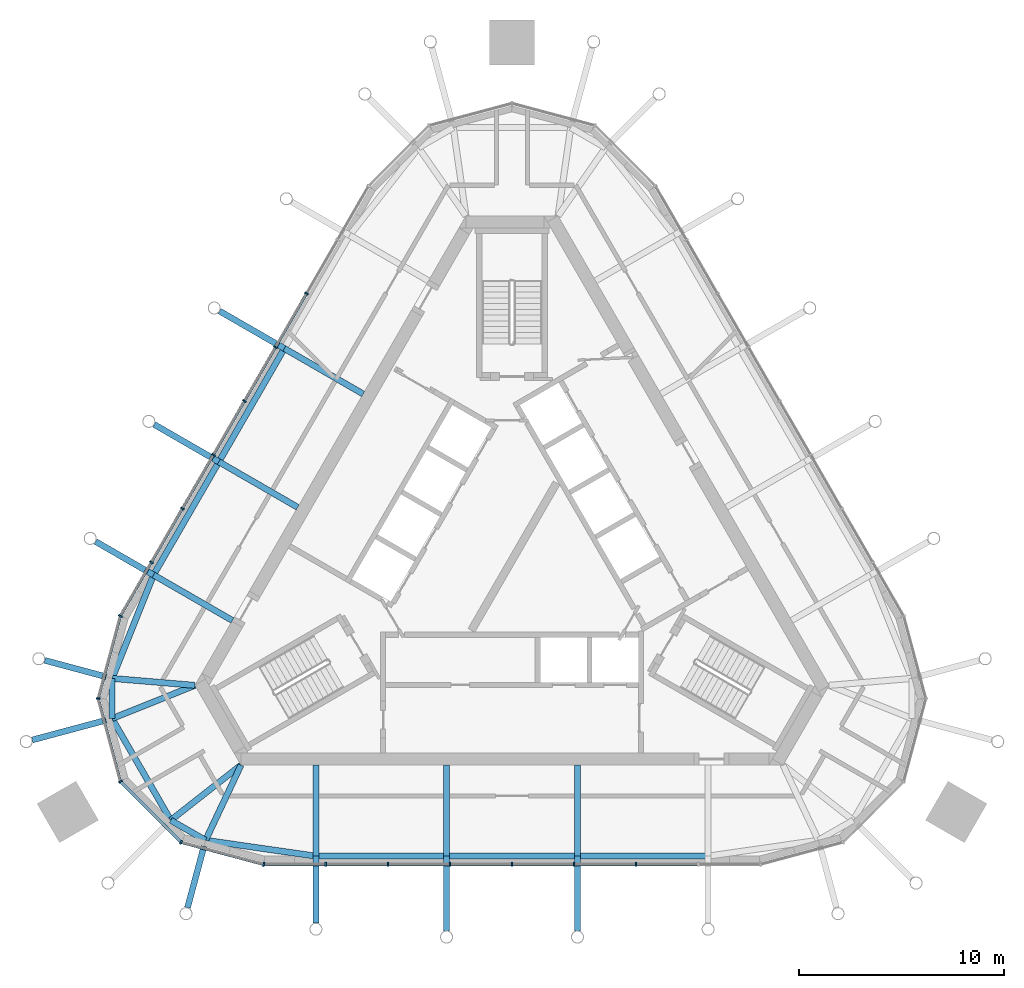
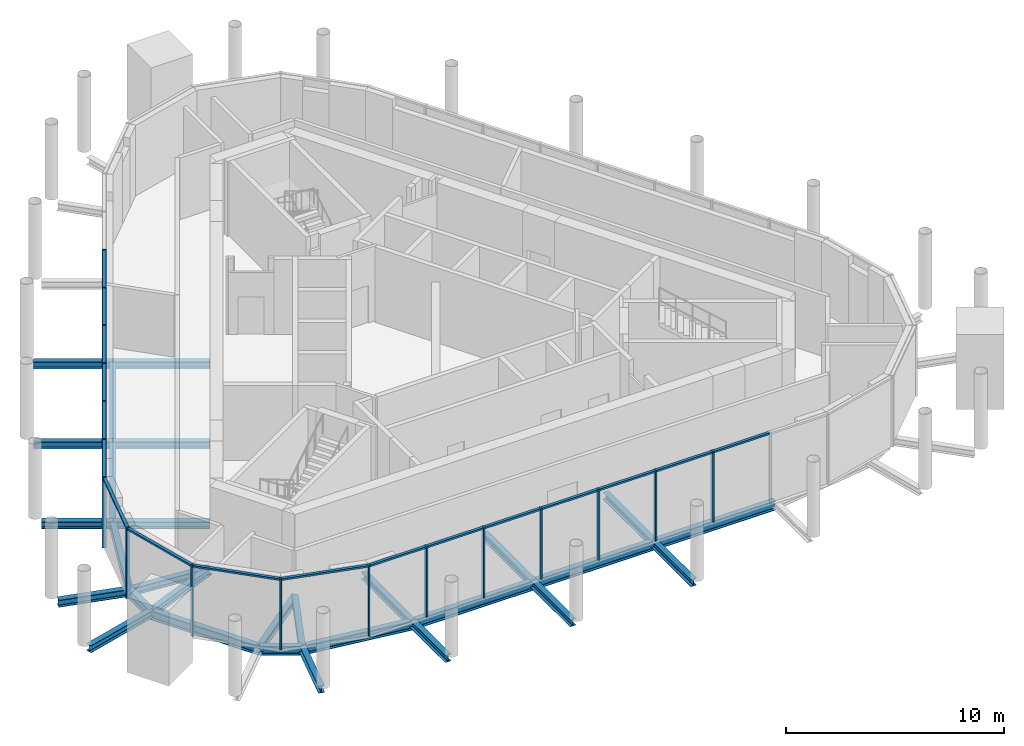
# One storey, part 2 of 11: 34 members, 29 beams, 3 elements without a shape of their own.
"""IFC4 building model written with IfcOpenShell, lengths in metres."""

from ifc_helpers import new_model, si_unit, direction, frame, origin, origin_2d, place, context, subcontext, project, spatial, rectangle, i_section, extrude, material, material_profile, profile_set, type_object, element, aggregate, save


model = new_model("IFC4")

# Units and contexts
model_context = context("Model", 3, precision=1e-05, world=origin(), true_north=direction((0.0, 1.0)))
body_context = subcontext(model_context, "Body", "Model", "MODEL_VIEW")
ifc_project = project(units=[si_unit("LENGTHUNIT", "METRE"), si_unit("AREAUNIT", "SQUARE_METRE"), si_unit("VOLUMEUNIT", "CUBIC_METRE"), si_unit("PLANEANGLEUNIT", "RADIAN"), si_unit("MASSUNIT", "GRAM", prefix="KILO")], contexts=[model_context])

# Site, building, storey
site_placement = place(None, origin())
site = spatial("IfcSite", under=ifc_project, at=site_placement, CompositionType="ELEMENT")
building_placement = place(site_placement, origin())
building = spatial("IfcBuilding", under=site, at=building_placement, Name="Mestral Congress Tower", CompositionType="ELEMENT")
storey_placement = place(building_placement, frame((0.0, 0.0, 340.199951171875)))
storey = spatial("IfcBuildingStorey", under=building, at=storey_placement, Name="L79", CompositionType="ELEMENT", Elevation=340.199951171875)

# Curtain wall, members
ifc_material_1 = material(Name="Glazed ceramic", Category="masonry")
curtain_wall_type = type_object("IfcCurtainWallType", Name="Facade plant louvre screen", PredefinedType="USERDEFINED", material=ifc_material_1)
placement = place(storey_placement, origin())
curtain_wall_1 = element("IfcCurtainWall", 1, at=placement, inside=storey, type_object=curtain_wall_type, Name="Plant louvre screen side 4", ObjectType="CURTAIN WALL", PredefinedType="USERDEFINED")
ifc_material_2 = material(Name="Anodised aluminium", Category="aluminium")
ifc_material_profile_1 = material_profile(ifc_material_2, rectangle(XDim=0.199951171875, YDim=0.080078125, at=origin_2d()), Name="CW6 mullion 200 x 80")
ifc_profile_set_1 = profile_set([ifc_material_profile_1], Name="Anodised aluminium")
member_type_1 = type_object("IfcMemberType", Name="Facade plant louvre screen mullion", PredefinedType="MULLION", material=ifc_profile_set_1)
member_1_placement = place(storey_placement, frame((-10.04248046875, 12.8056640625, 0.0), z_axis=(0.0, 0.0, 1.0), x_axis=(-0.866024531118, 0.500001511499, 0.0)))
member_1 = element("IfcMember", 2, at=member_1_placement, type_object=member_type_1, Name="Facade plant louvre screen mullion", PredefinedType="MULLION", context=body_context, shape_type="SweptSolid", body=[
    extrude(rectangle(XDim=0.199951171875, YDim=0.080078125, at=origin_2d()), origin(), (0.0, 0.0, 1.0), 3.949951171875),
])
member_2_placement = place(storey_placement, frame((-11.559814453125, 10.177978515625, 0.0), z_axis=(0.0, 0.0, 1.0), x_axis=(-0.866024531118, 0.500001511499, 0.0)))
member_2 = element("IfcMember", 3, at=member_2_placement, type_object=member_type_1, Name="Facade plant louvre screen mullion", PredefinedType="MULLION", context=body_context, shape_type="SweptSolid", body=[
    extrude(rectangle(XDim=0.199951171875, YDim=0.080078125, at=origin_2d()), origin(), (0.0, 0.0, 1.0), 3.949951171875),
])
member_3_placement = place(storey_placement, frame((-13.076904296875, 7.550048828125, 0.0), z_axis=(0.0, 0.0, 1.0), x_axis=(-0.866024531118, 0.500001511499, 0.0)))
member_3 = element("IfcMember", 4, at=member_3_placement, type_object=member_type_1, Name="Facade plant louvre screen mullion", PredefinedType="MULLION", context=body_context, shape_type="SweptSolid", body=[
    extrude(rectangle(XDim=0.199951171875, YDim=0.080078125, at=origin_2d()), origin(), (0.0, 0.0, 1.0), 3.949951171875),
])
member_4_placement = place(storey_placement, frame((-14.59423828125, 4.922119140625, 0.0), z_axis=(0.0, 0.0, 1.0), x_axis=(-0.866024531118, 0.500001511499, 0.0)))
member_4 = element("IfcMember", 5, at=member_4_placement, type_object=member_type_1, Name="Facade plant louvre screen mullion", PredefinedType="MULLION", context=body_context, shape_type="SweptSolid", body=[
    extrude(rectangle(XDim=0.199951171875, YDim=0.080078125, at=origin_2d()), origin(), (0.0, 0.0, 1.0), 3.949951171875),
])
member_5_placement = place(storey_placement, frame((-16.111328125, 2.294189453125, 0.0), z_axis=(0.0, 0.0, 1.0), x_axis=(-0.866024531118, 0.500001511499, 0.0)))
member_5 = element("IfcMember", 6, at=member_5_placement, type_object=member_type_1, Name="Facade plant louvre screen mullion", PredefinedType="MULLION", context=body_context, shape_type="SweptSolid", body=[
    extrude(rectangle(XDim=0.199951171875, YDim=0.080078125, at=origin_2d()), origin(), (0.0, 0.0, 1.0), 3.949951171875),
])
member_6_placement = place(storey_placement, frame((-17.628662109375, -0.33349609375, 0.0), z_axis=(0.0, 0.0, 1.0), x_axis=(-0.866024531118, 0.500001511499, 0.0)))
member_6 = element("IfcMember", 7, at=member_6_placement, type_object=member_type_1, Name="Facade plant louvre screen mullion", PredefinedType="MULLION", context=body_context, shape_type="SweptSolid", body=[
    extrude(rectangle(XDim=0.199951171875, YDim=0.080078125, at=origin_2d()), origin(), (0.0, 0.0, 1.0), 3.949951171875),
])
member_7_placement = place(storey_placement, frame((-19.145751953125, -2.96142578125, 0.0), z_axis=(0.0, 0.0, 1.0), x_axis=(-0.866024531118, 0.500001511499, 0.0)))
member_7 = element("IfcMember", 8, at=member_7_placement, type_object=member_type_1, Name="Facade plant louvre screen mullion", PredefinedType="MULLION", context=body_context, shape_type="SweptSolid", body=[
    extrude(rectangle(XDim=0.199951171875, YDim=0.080078125, at=origin_2d()), origin(), (0.0, 0.0, 1.0), 3.949951171875),
])

curtain_wall_2 = element("IfcCurtainWall", 9, at=placement, inside=storey, type_object=curtain_wall_type, Name="Plant louvre screen corner 5", ObjectType="CURTAIN WALL", PredefinedType="USERDEFINED")
member_8_placement = place(storey_placement, frame((-20.227783203125, -7.0, 0.0), z_axis=(0.0, 0.0, 1.0), x_axis=(-1.0, 0.0, 0.0)))
member_8 = element("IfcMember", 10, at=member_8_placement, type_object=member_type_1, Name="Facade plant louvre screen mullion", PredefinedType="MULLION", context=body_context, shape_type="SweptSolid", body=[
    extrude(rectangle(XDim=0.199951171875, YDim=0.080078125, at=origin_2d()), origin(), (0.0, 0.0, 1.0), 3.949951171875),
])
member_9_placement = place(storey_placement, frame((-19.142333984375, -11.0517578125, 0.0), z_axis=(0.0, 0.0, 1.0), x_axis=(-0.866025403784, -0.5, 0.0)))
member_9 = element("IfcMember", 11, at=member_9_placement, type_object=member_type_1, Name="Facade plant louvre screen mullion", PredefinedType="MULLION", context=body_context, shape_type="SweptSolid", body=[
    extrude(rectangle(XDim=0.199951171875, YDim=0.080078125, at=origin_2d()), origin(), (0.0, 0.0, 1.0), 3.949951171875),
])
member_10_placement = place(storey_placement, frame((-16.17626953125, -14.017822265625, 0.0), z_axis=(0.0, 0.0, 1.0), x_axis=(-0.5, -0.866025403784, 0.0)))
member_10 = element("IfcMember", 12, at=member_10_placement, type_object=member_type_1, Name="Facade plant louvre screen mullion", PredefinedType="MULLION", context=body_context, shape_type="SweptSolid", body=[
    extrude(rectangle(XDim=0.199951171875, YDim=0.080078125, at=origin_2d()), origin(), (0.0, 0.0, 1.0), 3.949951171875),
])
member_11_placement = place(storey_placement, frame((-12.1376953125, -15.10009765625, 0.0), z_axis=(0.0, 0.0, 1.0), x_axis=(-0.258819045103, -0.965925826289, 0.0)))
member_11 = element("IfcMember", 13, at=member_11_placement, type_object=member_type_1, Name="Facade plant louvre screen mullion", PredefinedType="MULLION", context=body_context, shape_type="SweptSolid", body=[
    extrude(rectangle(XDim=0.199951171875, YDim=0.080078125, at=origin_2d()), origin(), (0.0, 0.0, 1.0), 3.949951171875),
])

curtain_wall_3 = element("IfcCurtainWall", 14, at=placement, inside=storey, type_object=curtain_wall_type, Name="Plant louvre screen side 6", ObjectType="CURTAIN WALL", PredefinedType="USERDEFINED")
member_12_placement = place(storey_placement, frame((-9.103271484375, -15.10009765625, 0.0), z_axis=(0.0, 0.0, 1.0), x_axis=(0.0, -1.0, 0.0)))
member_12 = element("IfcMember", 15, at=member_12_placement, type_object=member_type_1, Name="Facade plant louvre screen mullion", PredefinedType="MULLION", context=body_context, shape_type="SweptSolid", body=[
    extrude(rectangle(XDim=0.199951171875, YDim=0.080078125, at=origin_2d()), origin(), (0.0, 0.0, 1.0), 3.949951171875),
])
member_13_placement = place(storey_placement, frame((-6.06884765625, -15.10009765625, 0.0), z_axis=(0.0, 0.0, 1.0), x_axis=(0.0, -1.0, 0.0)))
member_13 = element("IfcMember", 16, at=member_13_placement, type_object=member_type_1, Name="Facade plant louvre screen mullion", PredefinedType="MULLION", context=body_context, shape_type="SweptSolid", body=[
    extrude(rectangle(XDim=0.199951171875, YDim=0.080078125, at=origin_2d()), origin(), (0.0, 0.0, 1.0), 3.949951171875),
])
member_14_placement = place(storey_placement, frame((-3.034423828125, -15.10009765625, 0.0), z_axis=(0.0, 0.0, 1.0), x_axis=(0.0, -1.0, 0.0)))
member_14 = element("IfcMember", 17, at=member_14_placement, type_object=member_type_1, Name="Facade plant louvre screen mullion", PredefinedType="MULLION", context=body_context, shape_type="SweptSolid", body=[
    extrude(rectangle(XDim=0.199951171875, YDim=0.080078125, at=origin_2d()), origin(), (0.0, 0.0, 1.0), 3.949951171875),
])
member_15_placement = place(storey_placement, frame((0.0, -15.10009765625, 0.0), z_axis=(0.0, 0.0, 1.0), x_axis=(0.0, -1.0, 0.0)))
member_15 = element("IfcMember", 18, at=member_15_placement, type_object=member_type_1, Name="Facade plant louvre screen mullion", PredefinedType="MULLION", context=body_context, shape_type="SweptSolid", body=[
    extrude(rectangle(XDim=0.199951171875, YDim=0.080078125, at=origin_2d()), origin(), (0.0, 0.0, 1.0), 3.949951171875),
])
member_16_placement = place(storey_placement, frame((3.034423828125, -15.10009765625, 0.0), z_axis=(0.0, 0.0, 1.0), x_axis=(0.0, -1.0, 0.0)))
member_16 = element("IfcMember", 19, at=member_16_placement, type_object=member_type_1, Name="Facade plant louvre screen mullion", PredefinedType="MULLION", context=body_context, shape_type="SweptSolid", body=[
    extrude(rectangle(XDim=0.199951171875, YDim=0.080078125, at=origin_2d()), origin(), (0.0, 0.0, 1.0), 3.949951171875),
])
member_17_placement = place(storey_placement, frame((6.06884765625, -15.10009765625, 0.0), z_axis=(0.0, 0.0, 1.0), x_axis=(0.0, -1.0, 0.0)))
member_17 = element("IfcMember", 20, at=member_17_placement, type_object=member_type_1, Name="Facade plant louvre screen mullion", PredefinedType="MULLION", context=body_context, shape_type="SweptSolid", body=[
    extrude(rectangle(XDim=0.199951171875, YDim=0.080078125, at=origin_2d()), origin(), (0.0, 0.0, 1.0), 3.949951171875),
])

# Member
ifc_material_profile_2 = material_profile(ifc_material_2, rectangle(XDim=0.14990234375, YDim=0.10009765625, at=origin_2d()), Name="CW6 transom 150 x 100")
ifc_profile_set_2 = profile_set([ifc_material_profile_2], Name="Anodised aluminium")
member_type_2 = type_object("IfcMemberType", Name="Facade plant louvre screen transom", PredefinedType="USERDEFINED", material=ifc_profile_set_2)
member_18_placement = place(storey_placement, frame((-10.0625, 12.77099609375, 3.900146484375), z_axis=(-0.50002288008, -0.866012193561, 0.0), x_axis=(0.866012193561, -0.50002288008, 0.0)))
member_18 = element("IfcMember", 21, at=member_18_placement, type_object=member_type_2, Name="Facade plant louvre screen transom", ObjectType="TRANSOM", PredefinedType="USERDEFINED", context=body_context, shape_type="SweptSolid", body=[
    extrude(rectangle(XDim=0.14990234375, YDim=0.10009765625, at=origin_2d()), origin(), (0.0, 0.0, 1.0), 2.954345703125),
])

member_19_placement = place(storey_placement, frame((-11.579833984375, 10.143310546875, 3.900146484375), z_axis=(-0.499960902066, -0.86604797581, 0.0), x_axis=(0.86604797581, -0.499960902066, 0.0)))
member_19 = element("IfcMember", 22, at=member_19_placement, type_object=member_type_2, Name="Facade plant louvre screen transom", ObjectType="TRANSOM", PredefinedType="USERDEFINED", context=body_context, shape_type="SweptSolid", body=[
    extrude(rectangle(XDim=0.14990234375, YDim=0.10009765625, at=origin_2d()), origin(), (0.0, 0.0, 1.0), 2.954345703125),
])

member_20_placement = place(storey_placement, frame((-13.096923828125, 7.515380859375, 3.900146484375), z_axis=(-0.50002288008, -0.866012193561, 0.0), x_axis=(0.866012193561, -0.50002288008, 0.0)))
member_20 = element("IfcMember", 23, at=member_20_placement, type_object=member_type_2, Name="Facade plant louvre screen transom", ObjectType="TRANSOM", PredefinedType="USERDEFINED", context=body_context, shape_type="SweptSolid", body=[
    extrude(rectangle(XDim=0.14990234375, YDim=0.10009765625, at=origin_2d()), origin(), (0.0, 0.0, 1.0), 2.954345703125),
])

member_21_placement = place(storey_placement, frame((-14.6142578125, 4.887451171875, 3.900146484375), z_axis=(-0.499960902066, -0.86604797581, 0.0), x_axis=(0.86604797581, -0.499960902066, 0.0)))
member_21 = element("IfcMember", 24, at=member_21_placement, type_object=member_type_2, Name="Facade plant louvre screen transom", ObjectType="TRANSOM", PredefinedType="USERDEFINED", context=body_context, shape_type="SweptSolid", body=[
    extrude(rectangle(XDim=0.14990234375, YDim=0.10009765625, at=origin_2d()), origin(), (0.0, 0.0, 1.0), 2.954345703125),
])

member_22_placement = place(storey_placement, frame((-16.13134765625, 2.259765625, 3.900146484375), z_axis=(-0.50002288008, -0.866012193561, 0.0), x_axis=(0.866012193561, -0.50002288008, 0.0)))
member_22 = element("IfcMember", 25, at=member_22_placement, type_object=member_type_2, Name="Facade plant louvre screen transom", ObjectType="TRANSOM", PredefinedType="USERDEFINED", context=body_context, shape_type="SweptSolid", body=[
    extrude(rectangle(XDim=0.14990234375, YDim=0.10009765625, at=origin_2d()), origin(), (0.0, 0.0, 1.0), 2.954345703125),
])

member_23_placement = place(storey_placement, frame((-17.648681640625, -0.3681640625, 3.900146484375), z_axis=(-0.499960902066, -0.86604797581, 0.0), x_axis=(0.86604797581, -0.499960902066, 0.0)))
member_23 = element("IfcMember", 26, at=member_23_placement, type_object=member_type_2, Name="Facade plant louvre screen transom", ObjectType="TRANSOM", PredefinedType="USERDEFINED", context=body_context, shape_type="SweptSolid", body=[
    extrude(rectangle(XDim=0.14990234375, YDim=0.10009765625, at=origin_2d()), origin(), (0.0, 0.0, 1.0), 2.954345703125),
])

aggregate(curtain_wall_1, [member_1, member_2, member_3, member_4, member_5, member_6, member_7, member_18, member_19, member_20, member_21, member_22, member_23])

member_24_placement = place(storey_placement, frame((-19.156005859375, -3.0, 3.900146484375), z_axis=(-0.258833286133, -0.965922010304, 0.0), x_axis=(0.965922010304, -0.258833286133, 0.0)))
member_24 = element("IfcMember", 27, at=member_24_placement, type_object=member_type_2, Name="Facade plant louvre screen transom", ObjectType="TRANSOM", PredefinedType="USERDEFINED", context=body_context, shape_type="SweptSolid", body=[
    extrude(rectangle(XDim=0.14990234375, YDim=0.10009765625, at=origin_2d()), origin(), (0.0, 0.0, 1.0), 4.10107421875),
])

member_25_placement = place(storey_placement, frame((-20.217529296875, -7.03857421875, 3.900146484375), z_axis=(0.258807262034, -0.965928983476, 0.0), x_axis=(0.965928983476, 0.258807262034, 0.0)))
member_25 = element("IfcMember", 28, at=member_25_placement, type_object=member_type_2, Name="Facade plant louvre screen transom", ObjectType="TRANSOM", PredefinedType="USERDEFINED", context=body_context, shape_type="SweptSolid", body=[
    extrude(rectangle(XDim=0.14990234375, YDim=0.10009765625, at=origin_2d()), origin(), (0.0, 0.0, 1.0), 4.11474609375),
])

member_26_placement = place(storey_placement, frame((-19.114013671875, -11.080078125, 3.900146484375), z_axis=(0.707136447306, -0.707077113823, 0.0), x_axis=(0.707077113823, 0.707136447306, 0.0)))
member_26 = element("IfcMember", 29, at=member_26_placement, type_object=member_type_2, Name="Facade plant louvre screen transom", ObjectType="TRANSOM", PredefinedType="USERDEFINED", context=body_context, shape_type="SweptSolid", body=[
    extrude(rectangle(XDim=0.14990234375, YDim=0.10009765625, at=origin_2d()), origin(), (0.0, 0.0, 1.0), 4.11474609375),
])

member_27_placement = place(storey_placement, frame((-16.137451171875, -14.0283203125, 3.900146484375), z_axis=(0.965932905177, -0.258792624888, 0.0), x_axis=(0.258792624888, 0.965932905177, 0.0)))
member_27 = element("IfcMember", 30, at=member_27_placement, type_object=member_type_2, Name="Facade plant louvre screen transom", ObjectType="TRANSOM", PredefinedType="USERDEFINED", context=body_context, shape_type="SweptSolid", body=[
    extrude(rectangle(XDim=0.14990234375, YDim=0.10009765625, at=origin_2d()), origin(), (0.0, 0.0, 1.0), 4.100830078125),
])

aggregate(curtain_wall_2, [member_8, member_9, member_10, member_11, member_24, member_25, member_26, member_27])

member_28_placement = place(storey_placement, frame((-12.09765625, -15.10009765625, 3.900146484375), z_axis=(1.0, 0.0, 0.0), x_axis=(0.0, 1.0, 0.0)))
member_28 = element("IfcMember", 31, at=member_28_placement, type_object=member_type_2, Name="Facade plant louvre screen transom", ObjectType="TRANSOM", PredefinedType="USERDEFINED", context=body_context, shape_type="SweptSolid", body=[
    extrude(rectangle(XDim=0.14990234375, YDim=0.10009765625, at=origin_2d()), origin(), (0.0, 0.0, 1.0), 2.954345703125),
])

member_29_placement = place(storey_placement, frame((-9.063232421875, -15.10009765625, 3.900146484375), z_axis=(1.0, 0.0, 0.0), x_axis=(0.0, 1.0, 0.0)))
member_29 = element("IfcMember", 32, at=member_29_placement, type_object=member_type_2, Name="Facade plant louvre screen transom", ObjectType="TRANSOM", PredefinedType="USERDEFINED", context=body_context, shape_type="SweptSolid", body=[
    extrude(rectangle(XDim=0.14990234375, YDim=0.10009765625, at=origin_2d()), origin(), (0.0, 0.0, 1.0), 2.954345703125),
])

member_30_placement = place(storey_placement, frame((-6.02880859375, -15.10009765625, 3.900146484375), z_axis=(1.0, 0.0, 0.0), x_axis=(0.0, 1.0, 0.0)))
member_30 = element("IfcMember", 33, at=member_30_placement, type_object=member_type_2, Name="Facade plant louvre screen transom", ObjectType="TRANSOM", PredefinedType="USERDEFINED", context=body_context, shape_type="SweptSolid", body=[
    extrude(rectangle(XDim=0.14990234375, YDim=0.10009765625, at=origin_2d()), origin(), (0.0, 0.0, 1.0), 2.954345703125),
])

member_31_placement = place(storey_placement, frame((-2.994384765625, -15.10009765625, 3.900146484375), z_axis=(1.0, 0.0, 0.0), x_axis=(0.0, 1.0, 0.0)))
member_31 = element("IfcMember", 34, at=member_31_placement, type_object=member_type_2, Name="Facade plant louvre screen transom", ObjectType="TRANSOM", PredefinedType="USERDEFINED", context=body_context, shape_type="SweptSolid", body=[
    extrude(rectangle(XDim=0.14990234375, YDim=0.10009765625, at=origin_2d()), origin(), (0.0, 0.0, 1.0), 2.954345703125),
])

member_32_placement = place(storey_placement, frame((0.0400390625, -15.10009765625, 3.900146484375), z_axis=(1.0, 0.0, 0.0), x_axis=(0.0, 1.0, 0.0)))
member_32 = element("IfcMember", 35, at=member_32_placement, type_object=member_type_2, Name="Facade plant louvre screen transom", ObjectType="TRANSOM", PredefinedType="USERDEFINED", context=body_context, shape_type="SweptSolid", body=[
    extrude(rectangle(XDim=0.14990234375, YDim=0.10009765625, at=origin_2d()), origin(), (0.0, 0.0, 1.0), 2.954345703125),
])

member_33_placement = place(storey_placement, frame((3.074462890625, -15.10009765625, 3.900146484375), z_axis=(1.0, 0.0, 0.0), x_axis=(0.0, 1.0, 0.0)))
member_33 = element("IfcMember", 36, at=member_33_placement, type_object=member_type_2, Name="Facade plant louvre screen transom", ObjectType="TRANSOM", PredefinedType="USERDEFINED", context=body_context, shape_type="SweptSolid", body=[
    extrude(rectangle(XDim=0.14990234375, YDim=0.10009765625, at=origin_2d()), origin(), (0.0, 0.0, 1.0), 2.954345703125),
])

member_34_placement = place(storey_placement, frame((6.10888671875, -15.10009765625, 3.900146484375), z_axis=(1.0, 0.0, 0.0), x_axis=(0.0, 1.0, 0.0)))
member_34 = element("IfcMember", 37, at=member_34_placement, type_object=member_type_2, Name="Facade plant louvre screen transom", ObjectType="TRANSOM", PredefinedType="USERDEFINED", context=body_context, shape_type="SweptSolid", body=[
    extrude(rectangle(XDim=0.14990234375, YDim=0.10009765625, at=origin_2d()), origin(), (0.0, 0.0, 1.0), 2.954345703125),
])

aggregate(curtain_wall_3, [member_12, member_13, member_14, member_15, member_16, member_17, member_28, member_29, member_30, member_31, member_32, member_33, member_34])

# Beams
ifc_material_3 = material(Name="Steel S355", Category="steel")
ifc_material_profile_3 = material_profile(ifc_material_3, i_section(OverallWidth=0.300048828125, OverallDepth=0.39990234375, WebThickness=0.013427734375, FlangeThickness=0.02392578125, FilletRadius=0.027099609375, at=origin_2d()), Name="HEB 400")
ifc_profile_set_3 = profile_set([ifc_material_profile_3], Name="Steel S355")
beam_type_1 = type_object("IfcBeamType", Name="Floor beam HEB 400 S355", PredefinedType="BEAM", material=ifc_profile_set_3)
for number, where, z_axis, x_axis, name in (
    (38, (3.199462890625, -10.25, -0.449951171875), (0.0, -1.0, 0.0), (1.0, 0.0, 0.0), "BM-L79-KR01"),
    (39, (-3.199462890625, -10.25, -0.449951171875), (0.0, -1.0, 0.0), (1.0, 0.0, 0.0), "BM-L79-KR02"),
    (40, (-9.587158203125, -10.25, -0.449951171875), (0.0, -1.0, 0.0), (1.0, 0.0, 0.0), "BM-L79-KR03"),
):
    element("IfcBeam", number, at=place(storey_placement, frame(where, z_axis=z_axis, x_axis=x_axis)), inside=storey, type_object=beam_type_1, Name=name, PredefinedType="BEAM", context=body_context, shape_type="SweptSolid", body=[
        extrude(i_section(OverallWidth=0.300048828125, OverallDepth=0.39990234375, WebThickness=0.013427734375, FlangeThickness=0.02392578125, FilletRadius=0.027099609375, at=origin_2d()), origin(), (0.0, 0.0, 1.0), 4.449951171875),
    ])
beam_1_placement = place(storey_placement, frame((-13.250244140625, -10.25, -0.449951171875), z_axis=(-0.425828884258, -0.904803714256, 0.0), x_axis=(0.904803714256, -0.425828884258, 0.0)))
element("IfcBeam", 41, at=beam_1_placement, inside=storey, type_object=beam_type_1, Name="BM-L79-KR04", PredefinedType="BEAM", context=body_context, shape_type="SweptSolid", body=[
    extrude(i_section(OverallWidth=0.300048828125, OverallDepth=0.39990234375, WebThickness=0.013427734375, FlangeThickness=0.02392578125, FilletRadius=0.027099609375, at=origin_2d()), origin(), (0.0, 0.0, 1.0), 4.060791015625),
])
for number, where, z_axis, x_axis, name in (
    (42, (-13.250244140625, -10.25, -0.449951171875), (-0.786533746493, -0.617547298292, 0.0), (0.617547298292, -0.786533746493, 0.0), "BM-L79-KR05"),
    (43, (-15.501953125, -6.35009765625, -0.449951171875), (-0.928078801871, -0.372383857757, 0.0), (0.372383857757, -0.928078801871, 0.0), "BM-L79-KR06"),
):
    element("IfcBeam", number, at=place(storey_placement, frame(where, z_axis=z_axis, x_axis=x_axis)), inside=storey, type_object=beam_type_1, Name=name, PredefinedType="BEAM", context=body_context, shape_type="SweptSolid", body=[
        extrude(i_section(OverallWidth=0.300048828125, OverallDepth=0.39990234375, WebThickness=0.013427734375, FlangeThickness=0.02392578125, FilletRadius=0.027099609375, at=origin_2d()), origin(), (0.0, 0.0, 1.0), 4.364501953125),
    ])
beam_2_placement = place(storey_placement, frame((-15.501953125, -6.35009765625, -0.449951171875), z_axis=(-0.996497077205, 0.083627597852, 0.0), x_axis=(-0.083627597852, -0.996497077205, 0.0)))
element("IfcBeam", 44, at=beam_2_placement, inside=storey, type_object=beam_type_1, Name="BM-L79-KR07", PredefinedType="BEAM", context=body_context, shape_type="SweptSolid", body=[
    extrude(i_section(OverallWidth=0.300048828125, OverallDepth=0.39990234375, WebThickness=0.013427734375, FlangeThickness=0.02392578125, FilletRadius=0.027099609375, at=origin_2d()), origin(), (0.0, 0.0, 1.0), 4.060791015625),
])
for number, where, z_axis, x_axis, name in (
    (45, (-13.67041015625, -3.177734375, -0.449951171875), (-0.866012907634, 0.500021643343, 0.0), (-0.500021643343, -0.866012907634, 0.0), "BM-L79-KR08"),
    (46, (-10.4765625, 2.35400390625, -0.449951171875), (-0.866012907634, 0.500021643343, 0.0), (-0.500021643343, -0.866012907634, 0.0), "BM-L79-KR09"),
    (47, (-7.277099609375, 7.89599609375, -0.449951171875), (-0.866036664382, 0.499980495566, 0.0), (-0.499980495566, -0.866036664382, 0.0), "BM-L79-KR10"),
):
    element("IfcBeam", number, at=place(storey_placement, frame(where, z_axis=z_axis, x_axis=x_axis)), inside=storey, type_object=beam_type_1, Name=name, PredefinedType="BEAM", context=body_context, shape_type="SweptSolid", body=[
        extrude(i_section(OverallWidth=0.300048828125, OverallDepth=0.39990234375, WebThickness=0.013427734375, FlangeThickness=0.02392578125, FilletRadius=0.027099609375, at=origin_2d()), origin(), (0.0, 0.0, 1.0), 4.449951171875),
    ])
for number, where, z_axis, x_axis, name in (
    (48, (3.199462890625, -18.35009765625, -0.449951171875), (0.0, 1.0, 0.0), (-1.0, 0.0, 0.0), "BM-L79-KT-C5-S03"),
    (49, (-3.199462890625, -18.35009765625, -0.449951171875), (0.0, 1.0, 0.0), (-1.0, 0.0, 0.0), "BM-L79-KT-C5-S02"),
):
    element("IfcBeam", number, at=place(storey_placement, frame(where, z_axis=z_axis, x_axis=x_axis)), inside=storey, type_object=beam_type_1, Name=name, PredefinedType="BEAM", context=body_context, shape_type="SweptSolid", body=[
        extrude(i_section(OverallWidth=0.300048828125, OverallDepth=0.39990234375, WebThickness=0.013427734375, FlangeThickness=0.02392578125, FilletRadius=0.027099609375, at=origin_2d()), origin(), (0.0, 0.0, 1.0), 3.650146484375),
    ])
beam_3_placement = place(storey_placement, frame((-9.587158203125, -17.96875, -0.449951171875), z_axis=(0.0, 1.0, 0.0), x_axis=(-1.0, 0.0, 0.0)))
element("IfcBeam", 50, at=beam_3_placement, inside=storey, type_object=beam_type_1, Name="BM-L79-KT-C5-S01", PredefinedType="BEAM", context=body_context, shape_type="SweptSolid", body=[
    extrude(i_section(OverallWidth=0.300048828125, OverallDepth=0.39990234375, WebThickness=0.013427734375, FlangeThickness=0.02392578125, FilletRadius=0.027099609375, at=origin_2d()), origin(), (0.0, 0.0, 1.0), 3.268798828125),
])
beam_4_placement = place(storey_placement, frame((-15.86181640625, -17.21728515625, -0.449951171875), z_axis=(0.258812449793, 0.965927593473, 0.0), x_axis=(-0.965927593473, 0.258812449793, 0.0)))
element("IfcBeam", 51, at=beam_4_placement, inside=storey, type_object=beam_type_1, Name="BM-L79-KT-C5-S00", PredefinedType="BEAM", context=body_context, shape_type="SweptSolid", body=[
    extrude(i_section(OverallWidth=0.300048828125, OverallDepth=0.39990234375, WebThickness=0.013427734375, FlangeThickness=0.02392578125, FilletRadius=0.027099609375, at=origin_2d()), origin(), (0.0, 0.0, 1.0), 3.4091796875),
])
beam_5_placement = place(storey_placement, frame((-23.453369140625, -9.0205078125, -0.449951171875), z_axis=(0.965930242246, 0.258802563966, 0.0), x_axis=(-0.258802563966, 0.965930242246, 0.0)))
element("IfcBeam", 52, at=beam_5_placement, inside=storey, type_object=beam_type_1, Name="BM-L79-KT-C5-SW1", PredefinedType="BEAM", context=body_context, shape_type="SweptSolid", body=[
    extrude(i_section(OverallWidth=0.300048828125, OverallDepth=0.39990234375, WebThickness=0.013427734375, FlangeThickness=0.02392578125, FilletRadius=0.027099609375, at=origin_2d()), origin(), (0.0, 0.0, 1.0), 4.03857421875),
])
beam_6_placement = place(storey_placement, frame((-22.841552734375, -5.1279296875, -0.449951171875), z_axis=(0.965909688455, -0.258879264811, 0.0), x_axis=(0.258879264811, 0.965909688455, 0.0)))
element("IfcBeam", 53, at=beam_6_placement, inside=storey, type_object=beam_type_1, Name="BM-L79-KT-C5-W05", PredefinedType="BEAM", context=body_context, shape_type="SweptSolid", body=[
    extrude(i_section(OverallWidth=0.300048828125, OverallDepth=0.39990234375, WebThickness=0.013427734375, FlangeThickness=0.02392578125, FilletRadius=0.027099609375, at=origin_2d()), origin(), (0.0, 0.0, 1.0), 3.4091796875),
])
beam_7_placement = place(storey_placement, frame((-20.35498046875, 0.681640625, -0.449951171875), z_axis=(0.86603757612, -0.499978916304, 0.0), x_axis=(0.499978916304, 0.86603757612, 0.0)))
element("IfcBeam", 54, at=beam_7_placement, inside=storey, type_object=beam_type_1, Name="BM-L79-KT-C5-W04", PredefinedType="BEAM", context=body_context, shape_type="SweptSolid", body=[
    extrude(i_section(OverallWidth=0.300048828125, OverallDepth=0.39990234375, WebThickness=0.013427734375, FlangeThickness=0.02392578125, FilletRadius=0.027099609375, at=origin_2d()), origin(), (0.0, 0.0, 1.0), 3.268798828125),
])
beam_8_placement = place(storey_placement, frame((-17.49169921875, 6.404296875, -0.449951171875), z_axis=(0.866028549844, -0.499994550825, 0.0), x_axis=(0.499994550825, 0.866028549844, 0.0)))
element("IfcBeam", 55, at=beam_8_placement, inside=storey, type_object=beam_type_1, Name="BM-L79-KT-C5-W03", PredefinedType="BEAM", context=body_context, shape_type="SweptSolid", body=[
    extrude(i_section(OverallWidth=0.300048828125, OverallDepth=0.39990234375, WebThickness=0.013427734375, FlangeThickness=0.02392578125, FilletRadius=0.027099609375, at=origin_2d()), origin(), (0.0, 0.0, 1.0), 3.650390625),
])
beam_9_placement = place(storey_placement, frame((-14.2919921875, 11.946044921875, -0.449951171875), z_axis=(0.866011828767, -0.500023511883, 0.0), x_axis=(0.500023511883, 0.866011828767, 0.0)))
element("IfcBeam", 56, at=beam_9_placement, inside=storey, type_object=beam_type_1, Name="BM-L79-KT-C5-W02", PredefinedType="BEAM", context=body_context, shape_type="SweptSolid", body=[
    extrude(i_section(OverallWidth=0.300048828125, OverallDepth=0.39990234375, WebThickness=0.013427734375, FlangeThickness=0.02392578125, FilletRadius=0.027099609375, at=origin_2d()), origin(), (0.0, 0.0, 1.0), 3.650146484375),
])
ifc_material_profile_4 = material_profile(ifc_material_3, i_section(OverallWidth=0.300048828125, OverallDepth=0.5, WebThickness=0.014404296875, FlangeThickness=0.028076171875, FilletRadius=0.027099609375, at=origin_2d()), Name="HEB 500")
ifc_profile_set_4 = profile_set([ifc_material_profile_4], Name="Steel S355")
beam_type_2 = type_object("IfcBeamType", Name="Floor beam HEB 500 S355", PredefinedType="BEAM", material=ifc_profile_set_4)
beam_10_placement = place(storey_placement, frame((9.587158203125, -14.699951171875, -0.5), z_axis=(-1.0, 0.0, 0.0), x_axis=(0.0, -1.0, 0.0)))
element("IfcBeam", 57, at=beam_10_placement, inside=storey, type_object=beam_type_2, Name="BM-L79-KG00", PredefinedType="BEAM", context=body_context, shape_type="SweptSolid", body=[
    extrude(i_section(OverallWidth=0.300048828125, OverallDepth=0.5, WebThickness=0.014404296875, FlangeThickness=0.028076171875, FilletRadius=0.027099609375, at=origin_2d()), origin(), (0.0, 0.0, 1.0), 6.3876953125),
])
beam_11_placement = place(storey_placement, frame((3.199462890625, -14.699951171875, -0.5), z_axis=(-1.0, 0.0, 0.0), x_axis=(0.0, -1.0, 0.0)))
element("IfcBeam", 58, at=beam_11_placement, inside=storey, type_object=beam_type_2, Name="BM-L79-KG01", PredefinedType="BEAM", context=body_context, shape_type="SweptSolid", body=[
    extrude(i_section(OverallWidth=0.300048828125, OverallDepth=0.5, WebThickness=0.014404296875, FlangeThickness=0.028076171875, FilletRadius=0.027099609375, at=origin_2d()), origin(), (0.0, 0.0, 1.0), 6.39892578125),
])
beam_12_placement = place(storey_placement, frame((-3.199462890625, -14.699951171875, -0.5), z_axis=(-1.0, 0.0, 0.0), x_axis=(0.0, -1.0, 0.0)))
element("IfcBeam", 59, at=beam_12_placement, inside=storey, type_object=beam_type_2, Name="BM-L79-KG02", PredefinedType="BEAM", context=body_context, shape_type="SweptSolid", body=[
    extrude(i_section(OverallWidth=0.300048828125, OverallDepth=0.5, WebThickness=0.014404296875, FlangeThickness=0.028076171875, FilletRadius=0.027099609375, at=origin_2d()), origin(), (0.0, 0.0, 1.0), 6.3876953125),
])
beam_13_placement = place(storey_placement, frame((-9.587158203125, -14.699951171875, -0.5), z_axis=(-0.989812798939, 0.1423749383, 0.0), x_axis=(-0.1423749383, -0.989812798939, 0.0)))
element("IfcBeam", 60, at=beam_13_placement, inside=storey, type_object=beam_type_2, Name="BM-L79-KG03", PredefinedType="BEAM", context=body_context, shape_type="SweptSolid", body=[
    extrude(i_section(OverallWidth=0.300048828125, OverallDepth=0.5, WebThickness=0.014404296875, FlangeThickness=0.028076171875, FilletRadius=0.027099609375, at=origin_2d()), origin(), (0.0, 0.0, 1.0), 5.44775390625),
])
beam_14_placement = place(storey_placement, frame((-14.9794921875, -13.92431640625, -0.5), z_axis=(-0.86703245351, 0.498251667895, 0.0), x_axis=(-0.498251667895, -0.86703245351, 0.0)))
element("IfcBeam", 61, at=beam_14_placement, inside=storey, type_object=beam_type_2, Name="BM-L79-KG04", PredefinedType="BEAM", context=body_context, shape_type="SweptSolid", body=[
    extrude(i_section(OverallWidth=0.300048828125, OverallDepth=0.5, WebThickness=0.014404296875, FlangeThickness=0.028076171875, FilletRadius=0.027099609375, at=origin_2d()), origin(), (0.0, 0.0, 1.0), 1.96484375),
])
beam_15_placement = place(storey_placement, frame((-16.68310546875, -12.9453125, -0.5), z_axis=(-0.499996189405, 0.866027603821, 0.0), x_axis=(-0.866027603821, -0.499996189405, 0.0)))
element("IfcBeam", 62, at=beam_15_placement, inside=storey, type_object=beam_type_2, Name="BM-L79-KG05", PredefinedType="BEAM", context=body_context, shape_type="SweptSolid", body=[
    extrude(i_section(OverallWidth=0.300048828125, OverallDepth=0.5, WebThickness=0.014404296875, FlangeThickness=0.028076171875, FilletRadius=0.027099609375, at=origin_2d()), origin(), (0.0, 0.0, 1.0), 5.73876953125),
])
beam_16_placement = place(storey_placement, frame((-19.552490234375, -7.975341796875, -0.5), z_axis=(0.001988067642, 0.999998023792, 0.0), x_axis=(-0.999998023792, 0.001988067642, 0.0)))
element("IfcBeam", 63, at=beam_16_placement, inside=storey, type_object=beam_type_2, Name="BM-L79-KG06", PredefinedType="BEAM", context=body_context, shape_type="SweptSolid", body=[
    extrude(i_section(OverallWidth=0.300048828125, OverallDepth=0.5, WebThickness=0.014404296875, FlangeThickness=0.028076171875, FilletRadius=0.027099609375, at=origin_2d()), origin(), (0.0, 0.0, 1.0), 1.96484375),
])
beam_17_placement = place(storey_placement, frame((-19.548583984375, -6.010498046875, -0.5), z_axis=(0.37159155469, 0.928396314341, 0.0), x_axis=(-0.928396314341, 0.37159155469, 0.0)))
element("IfcBeam", 64, at=beam_17_placement, inside=storey, type_object=beam_type_2, Name="BM-L79-KG07", PredefinedType="BEAM", context=body_context, shape_type="SweptSolid", body=[
    extrude(i_section(OverallWidth=0.300048828125, OverallDepth=0.5, WebThickness=0.014404296875, FlangeThickness=0.028076171875, FilletRadius=0.027099609375, at=origin_2d()), origin(), (0.0, 0.0, 1.0), 5.447998046875),
])
beam_18_placement = place(storey_placement, frame((-17.524169921875, -0.95263671875, -0.5), z_axis=(0.500011397576, 0.866018823291, 0.0), x_axis=(-0.866018823291, 0.500011397576, 0.0)))
element("IfcBeam", 65, at=beam_18_placement, inside=storey, type_object=beam_type_2, Name="BM-L79-KG08", PredefinedType="BEAM", context=body_context, shape_type="SweptSolid", body=[
    extrude(i_section(OverallWidth=0.300048828125, OverallDepth=0.5, WebThickness=0.014404296875, FlangeThickness=0.028076171875, FilletRadius=0.027099609375, at=origin_2d()), origin(), (0.0, 0.0, 1.0), 6.387451171875),
])
beam_19_placement = place(storey_placement, frame((-14.330322265625, 4.5791015625, -0.5), z_axis=(0.499992166441, 0.866029926444, 0.0), x_axis=(-0.866029926444, 0.499992166441, 0.0)))
element("IfcBeam", 66, at=beam_19_placement, inside=storey, type_object=beam_type_2, Name="BM-L79-KG09", PredefinedType="BEAM", context=body_context, shape_type="SweptSolid", body=[
    extrude(i_section(OverallWidth=0.300048828125, OverallDepth=0.5, WebThickness=0.014404296875, FlangeThickness=0.028076171875, FilletRadius=0.027099609375, at=origin_2d()), origin(), (0.0, 0.0, 1.0), 6.39892578125),
])

save(model, "model.ifc")
